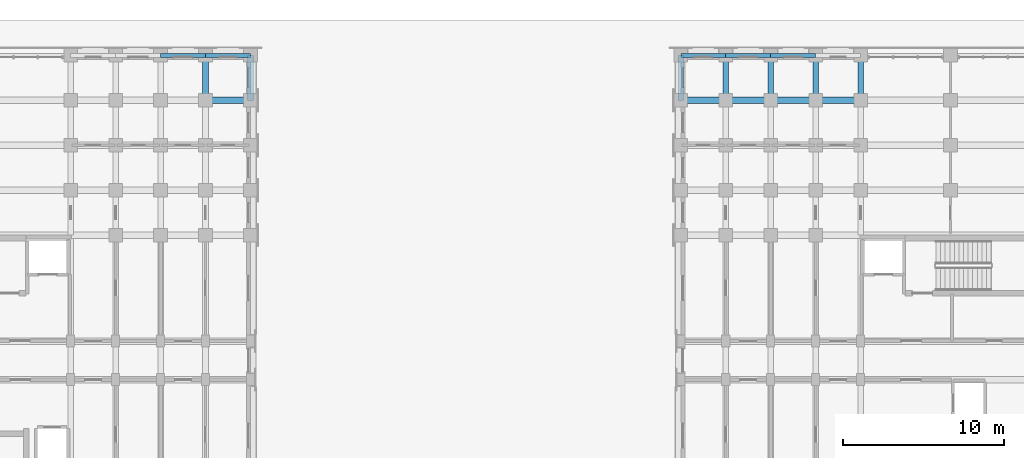
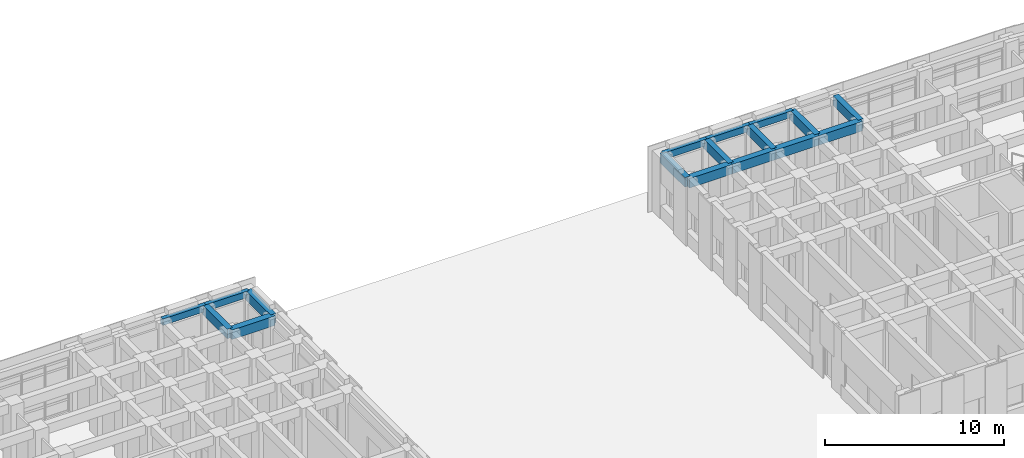
# One storey, part 55 of 135: 17 beams.
"""IFC4 building model written with IfcOpenShell, lengths in metres."""

from ifc_helpers import new_model, si_unit, direction, frame, origin, origin_2d, place, context, subcontext, project, spatial, rectangle, extrude, material, material_profile, profile_set, type_object, element, save


model = new_model("IFC4")

# Units and contexts
model_context = context("Model", 3, precision=1e-05, world=origin(), true_north=direction((0.0, 1.0)))
body_context = subcontext(model_context, "Body", "Model", "MODEL_VIEW")
ifc_project = project(units=[si_unit("LENGTHUNIT", "METRE"), si_unit("AREAUNIT", "SQUARE_METRE"), si_unit("VOLUMEUNIT", "CUBIC_METRE"), si_unit("PLANEANGLEUNIT", "RADIAN"), si_unit("MASSUNIT", "GRAM", prefix="KILO")], contexts=[model_context])

# Site, building, storey
site_placement = place(None, origin())
site = spatial("IfcSite", under=ifc_project, at=site_placement, CompositionType="ELEMENT")
building_placement = place(site_placement, origin())
building = spatial("IfcBuilding", under=site, at=building_placement, Name="Kiranvali Square Residences", CompositionType="ELEMENT")
storey_placement = place(building_placement, origin())
storey = spatial("IfcBuildingStorey", under=building, at=storey_placement, Name="L00", CompositionType="ELEMENT", Elevation=0.0)

# Beams
ifc_material_1 = material(Name="Concrete M40 (40 MPa)", Category="concrete")
ifc_material_profile_1 = material_profile(ifc_material_1, rectangle(XDim=0.35009765625, YDim=0.64990234375, at=origin_2d()), Name="RC 350x650")
ifc_profile_set_1 = profile_set([ifc_material_profile_1], Name="Concrete M40 (40 MPa)")
beam_type_1 = type_object("IfcBeamType", Name="BM-M40-350x650", PredefinedType="BEAM", material=ifc_profile_set_1)
for number, where, z_axis, x_axis, name in (
    (1, (67.800048828125, 131.0, 3.824951171875), (0.0, 1.0, 0.0), (-1.0, 0.0, 0.0), "L00 beam BM-A-L00-A1T4-67"),
    (2, (70.60009765625, 131.0, 3.824951171875), (0.0, 1.0, 0.0), (-1.0, 0.0, 0.0), "L00 beam BM-A-L00-A1T5-67"),
    (3, (108.60009765625, 131.0, 3.824951171875), (0.0, 1.0, 0.0), (-1.0, 0.0, 0.0), "L00 beam BM-B-L00-A1T1-67"),
    (4, (105.800048828125, 131.0, 3.824951171875), (0.0, 1.0, 0.0), (-1.0, 0.0, 0.0), "L00 beam BM-B-L00-A1T2-67"),
    (5, (103.0, 131.0, 3.824951171875), (0.0, 1.0, 0.0), (-1.0, 0.0, 0.0), "L00 beam BM-B-L00-A1T3-67"),
    (6, (100.199951171875, 131.0, 3.824951171875), (0.0, 1.0, 0.0), (-1.0, 0.0, 0.0), "L00 beam BM-B-L00-A1T4-67"),
    (7, (97.39990234375, 131.0, 3.824951171875), (0.0, 1.0, 0.0), (-1.0, 0.0, 0.0), "L00 beam BM-B-L00-A1T5-67"),
):
    element("IfcBeam", number, at=place(storey_placement, frame(where, z_axis=z_axis, x_axis=x_axis)), inside=storey, type_object=beam_type_1, Name=name, PredefinedType="BEAM", context=body_context, shape_type="SweptSolid", body=[
        extrude(rectangle(XDim=0.35009765625, YDim=0.64990234375, at=origin_2d()), origin(), (0.0, 0.0, 1.0), 2.800048828125),
    ])
ifc_material_2 = material(Name="Concrete M45 (45 MPa)", Category="concrete")
ifc_material_profile_2 = material_profile(ifc_material_2, rectangle(XDim=0.39990234375, YDim=0.64990234375, at=origin_2d()), Name="RC 400x650")
ifc_profile_set_2 = profile_set([ifc_material_profile_2], Name="Concrete M45 (45 MPa)")
beam_type_2 = type_object("IfcBeamType", Name="BM-M45-400x650", PredefinedType="BEAM", material=ifc_profile_set_2)
for number, where, z_axis, x_axis, name in (
    (8, (67.800048828125, 131.0, 3.824951171875), (1.0, 0.0, 0.0), (0.0, 1.0, 0.0), "L00 beam BM-A-L00-A1U5-R6"),
    (9, (108.60009765625, 131.0, 3.824951171875), (-1.0, 0.0, 0.0), (0.0, -1.0, 0.0), "L00 beam BM-B-L00-A1U2-R6"),
    (10, (105.800048828125, 131.0, 3.824951171875), (-1.0, 0.0, 0.0), (0.0, -1.0, 0.0), "L00 beam BM-B-L00-A1U3-R6"),
    (11, (103.0, 131.0, 3.824951171875), (-1.0, 0.0, 0.0), (0.0, -1.0, 0.0), "L00 beam BM-B-L00-A1U4-R6"),
    (12, (100.199951171875, 131.0, 3.824951171875), (-1.0, 0.0, 0.0), (0.0, -1.0, 0.0), "L00 beam BM-B-L00-A1U5-R6"),
):
    element("IfcBeam", number, at=place(storey_placement, frame(where, z_axis=z_axis, x_axis=x_axis)), inside=storey, type_object=beam_type_2, Name=name, PredefinedType="BEAM", context=body_context, shape_type="SweptSolid", body=[
        extrude(rectangle(XDim=0.39990234375, YDim=0.64990234375, at=origin_2d()), origin(), (0.0, 0.0, 1.0), 2.800048828125),
    ])
ifc_material_profile_3 = material_profile(ifc_material_1, rectangle(XDim=0.25, YDim=0.449951171875, at=origin_2d()), Name="RC 250x450")
ifc_profile_set_3 = profile_set([ifc_material_profile_3], Name="Concrete M40 (40 MPa)")
beam_type_3 = type_object("IfcBeamType", Name="SPN-M40-250x450", PredefinedType="SPANDREL", material=ifc_profile_set_3)
for number, where, z_axis, x_axis, name in (
    (13, (65.0, 133.800048828125, 3.925048828125), (1.0, 0.0, 0.0), (0.0, 1.0, 0.0), "L00 beam BM-A-L00-A1U4-R7"),
    (14, (67.800048828125, 133.800048828125, 3.925048828125), (1.0, 0.0, 0.0), (0.0, 1.0, 0.0), "L00 beam BM-A-L00-A1U5-R7"),
    (15, (105.800048828125, 133.800048828125, 3.925048828125), (-1.0, 0.0, 0.0), (0.0, -1.0, 0.0), "L00 beam BM-B-L00-A1U3-R7"),
    (16, (103.0, 133.800048828125, 3.925048828125), (-1.0, 0.0, 0.0), (0.0, -1.0, 0.0), "L00 beam BM-B-L00-A1U4-R7"),
    (17, (100.199951171875, 133.800048828125, 3.925048828125), (-1.0, 0.0, 0.0), (0.0, -1.0, 0.0), "L00 beam BM-B-L00-A1U5-R7"),
):
    element("IfcBeam", number, at=place(storey_placement, frame(where, z_axis=z_axis, x_axis=x_axis)), inside=storey, type_object=beam_type_3, Name=name, PredefinedType="SPANDREL", context=body_context, shape_type="SweptSolid", body=[
        extrude(rectangle(XDim=0.25, YDim=0.449951171875, at=origin_2d()), origin(), (0.0, 0.0, 1.0), 2.800048828125),
    ])

save(model, "model.ifc")
